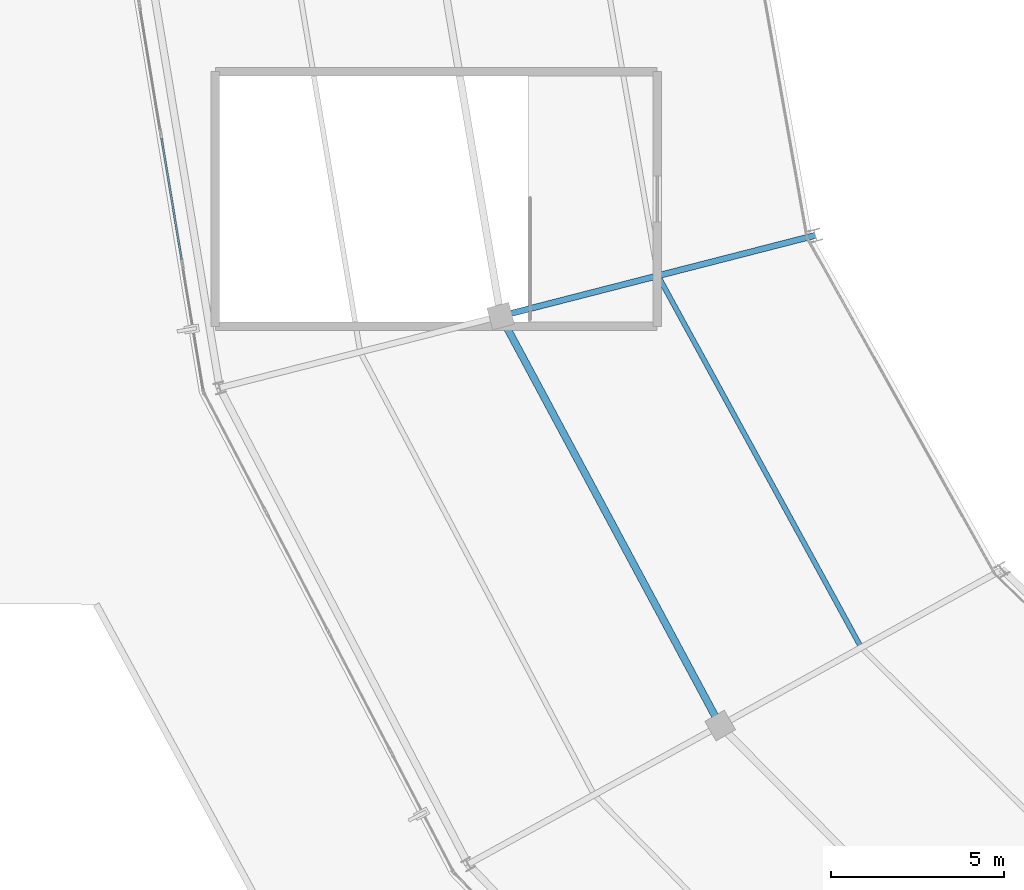
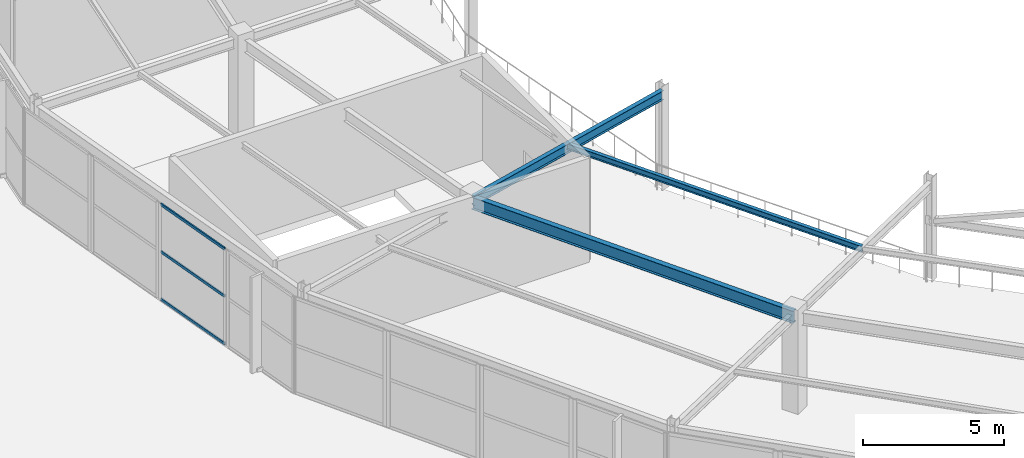
# One storey, part 28 of 126: 3 beams, 3 members, 1 element without a shape of its own.
"""IFC4 building model written with IfcOpenShell, lengths in metres."""

from ifc_helpers import new_model, si_unit, direction, frame, origin, origin_2d, place, context, subcontext, project, spatial, hollow_rectangle, i_section, extrude, material, layer, layer_set, material_profile, profile_set, type_object, element, aggregate, save


model = new_model("IFC4")

# Units and contexts
model_context = context("Model", 3, precision=1e-05, world=origin(), true_north=direction((0.0, 1.0)))
body_context = subcontext(model_context, "Body", "Model", "MODEL_VIEW")
ifc_project = project(units=[si_unit("LENGTHUNIT", "METRE"), si_unit("AREAUNIT", "SQUARE_METRE"), si_unit("VOLUMEUNIT", "CUBIC_METRE"), si_unit("PLANEANGLEUNIT", "RADIAN"), si_unit("MASSUNIT", "GRAM", prefix="KILO")], contexts=[model_context])

# Site, building, storey
site_placement = place(None, origin())
site = spatial("IfcSite", under=ifc_project, at=site_placement, CompositionType="ELEMENT")
building_placement = place(site_placement, origin())
building = spatial("IfcBuilding", under=site, at=building_placement, Name="Kalgoora Escarpment Arena", CompositionType="ELEMENT")
storey_placement = place(building_placement, frame((0.0, 0.0, 18.89990234375)))
storey = spatial("IfcBuildingStorey", under=building, at=storey_placement, Name="L04", CompositionType="ELEMENT", Elevation=18.89990234375)

# Beams
ifc_material_1 = material(Name="Structural steel AS/NZS 3679 (300 MPa)", Category="steel")
ifc_material_profile_1 = material_profile(ifc_material_1, i_section(OverallWidth=0.14599609375, OverallDepth=0.256103515625, WebThickness=0.00634765625, FlangeThickness=0.010986328125, at=origin_2d()))
ifc_profile_set_1 = profile_set([ifc_material_profile_1], Name="Structural steel AS/NZS 3679 (300 MPa)")
beam_type_1 = type_object("IfcBeamType", Name="BM-BEAM-250UB37.3", PredefinedType="BEAM", material=ifc_profile_set_1)
beam_1_placement = place(storey_placement, frame((35.7001953125, 52.482666015625, 4.08203125), z_axis=(0.479471601887, -0.877557395835, 0.0), x_axis=(0.877557395835, 0.479471601887, 0.0)))
element("IfcBeam", 1, at=beam_1_placement, inside=storey, type_object=beam_type_1, Name="L04 Concourse secondary ring beam 250UB37.3", PredefinedType="BEAM", context=body_context, shape_type="SweptSolid", body=[
    extrude(i_section(OverallWidth=0.14599609375, OverallDepth=0.256103515625, WebThickness=0.00634765625, FlangeThickness=0.010986328125, at=origin_2d()), origin(), (0.0, 0.0, 1.0), 12.230224609375),
])
ifc_material_2 = material(Name="Structural steel AS/NZS 3679 (300 MPa)", Category="steel")
ifc_material_profile_2 = material_profile(ifc_material_2, i_section(OverallWidth=0.177978515625, OverallDepth=0.406005859375, WebThickness=0.0078125, FlangeThickness=0.0126953125, at=origin_2d()))
ifc_profile_set_2 = profile_set([ifc_material_profile_2], Name="Structural steel AS/NZS 3679 (300 MPa)")
beam_type_2 = type_object("IfcBeamType", Name="BM-GIRDER-410UB59.7", PredefinedType="USERDEFINED", material=ifc_profile_set_2)
beam_2_placement = place(storey_placement, frame((40.239990234375, 53.647216796875, 4.007080078125), z_axis=(-0.9686318836, -0.248500048438, 0.0), x_axis=(0.248500048438, -0.9686318836, 0.0)))
element("IfcBeam", 2, at=beam_2_placement, inside=storey, type_object=beam_type_2, Name="L04 Radial concourse girder 410UB59.7", ObjectType="GIRDER", PredefinedType="USERDEFINED", context=body_context, shape_type="SweptSolid", body=[
    extrude(i_section(OverallWidth=0.177978515625, OverallDepth=0.406005859375, WebThickness=0.0078125, FlangeThickness=0.0126953125, at=origin_2d()), origin(), (0.0, 0.0, 1.0), 9.37353515625),
])
ifc_material_3 = material(Name="Structural steel AS/NZS 3679 (300 MPa)", Category="steel")
ifc_material_profile_3 = material_profile(ifc_material_3, i_section(OverallWidth=0.208984375, OverallDepth=0.532958984375, WebThickness=0.01025390625, FlangeThickness=0.015625, at=origin_2d()))
ifc_profile_set_3 = profile_set([ifc_material_profile_3], Name="Structural steel AS/NZS 3679 (300 MPa)")
beam_type_3 = type_object("IfcBeamType", Name="BM-GIRDER-530UB92.4", PredefinedType="USERDEFINED", material=ifc_profile_set_3)
beam_3_placement = place(storey_placement, frame((31.160400390625, 51.31787109375, 3.943603515625), z_axis=(0.47236591953, -0.881402540311, 0.0), x_axis=(0.881402540311, 0.47236591953, 0.0)))
element("IfcBeam", 3, at=beam_3_placement, inside=storey, type_object=beam_type_3, Name="L04 Circumferential concourse girder RCONC1 530UB92.4", ObjectType="GIRDER", PredefinedType="USERDEFINED", context=body_context, shape_type="SweptSolid", body=[
    extrude(i_section(OverallWidth=0.208984375, OverallDepth=0.532958984375, WebThickness=0.01025390625, FlangeThickness=0.015625, at=origin_2d()), origin(), (0.0, 0.0, 1.0), 13.407958984375),
])

# Curtain wall, members
ifc_material_4 = material(Name=" Champagne anodised aluminium & double-glazed low-E", Category="aluminium")
ifc_layer = layer(ifc_material_4, 0.154052734375)
ifc_layer_set = layer_set([ifc_layer], Name="CW-UNIT-16")
curtain_wall_type = type_object("IfcCurtainWallType", Name="CW-UNIT-16", PredefinedType="NOTDEFINED", material=ifc_layer_set)
curtain_wall_placement = place(storey_placement, origin())
curtain_wall = element("IfcCurtainWall", 4, at=curtain_wall_placement, inside=storey, type_object=curtain_wall_type, Name="L04 unitised facade curtain wall 135", PredefinedType="NOTDEFINED")
ifc_material_5 = material(Name="Anodised aluminium 6063-T6", Category="aluminium")
ifc_material_profile_4 = material_profile(ifc_material_5, hollow_rectangle(XDim=0.054931640625, YDim=0.1201171875, WallThickness=0.003173828125, at=origin_2d()))
ifc_profile_set_4 = profile_set([ifc_material_profile_4], Name="Anodised aluminium 6063-T6")
member_type = type_object("IfcMemberType", Name="MEM-CW-TRAN-120", PredefinedType="USERDEFINED", material=ifc_profile_set_4)
member_1_placement = place(storey_placement, frame((21.95068359375, 52.947021484375, 0.047607421875), z_axis=(-0.163252696722, 0.98658428784, 0.0), x_axis=(-0.98658428784, -0.163252696722, 0.0)))
member_1 = element("IfcMember", 5, at=member_1_placement, type_object=member_type, Name="CW-16 transom 1.1", ObjectType="TRANSOM", PredefinedType="USERDEFINED", context=body_context, shape_type="SweptSolid", body=[
    extrude(hollow_rectangle(XDim=0.054931640625, YDim=0.1201171875, WallThickness=0.003173828125, at=origin_2d()), origin(), (0.0, 0.0, 1.0), 3.557861328125),
])
member_2_placement = place(storey_placement, frame((21.95068359375, 52.947021484375, 2.10498046875), z_axis=(-0.163252696722, 0.98658428784, 0.0), x_axis=(-0.98658428784, -0.163252696722, 0.0)))
member_2 = element("IfcMember", 6, at=member_2_placement, type_object=member_type, Name="CW-16 transom 1.2", ObjectType="TRANSOM", PredefinedType="USERDEFINED", context=body_context, shape_type="SweptSolid", body=[
    extrude(hollow_rectangle(XDim=0.054931640625, YDim=0.1201171875, WallThickness=0.003173828125, at=origin_2d()), origin(), (0.0, 0.0, 1.0), 3.557861328125),
])
member_3_placement = place(storey_placement, frame((21.95068359375, 52.947021484375, 4.142578125), z_axis=(-0.163252696722, 0.98658428784, 0.0), x_axis=(-0.98658428784, -0.163252696722, 0.0)))
member_3 = element("IfcMember", 7, at=member_3_placement, type_object=member_type, Name="CW-16 transom 1.3", ObjectType="TRANSOM", PredefinedType="USERDEFINED", context=body_context, shape_type="SweptSolid", body=[
    extrude(hollow_rectangle(XDim=0.054931640625, YDim=0.1201171875, WallThickness=0.003173828125, at=origin_2d()), origin(), (0.0, 0.0, 1.0), 3.557861328125),
])
aggregate(curtain_wall, [member_1, member_2, member_3])

save(model, "model.ifc")
